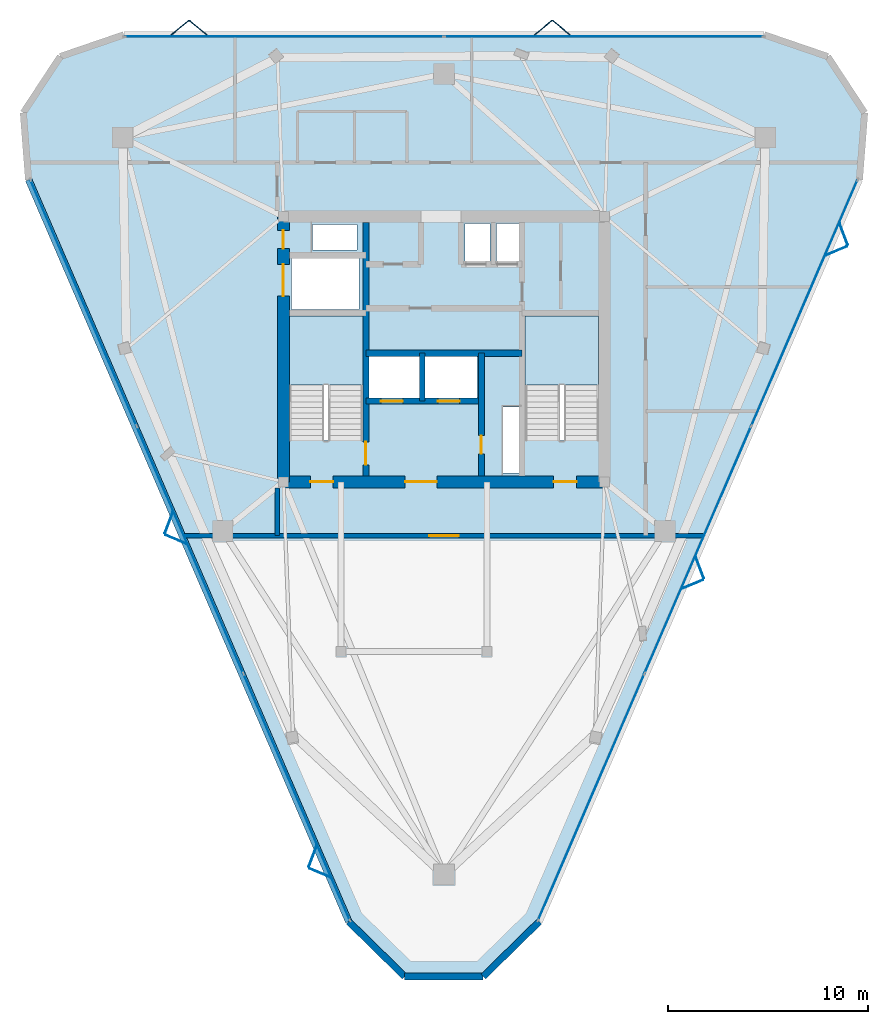
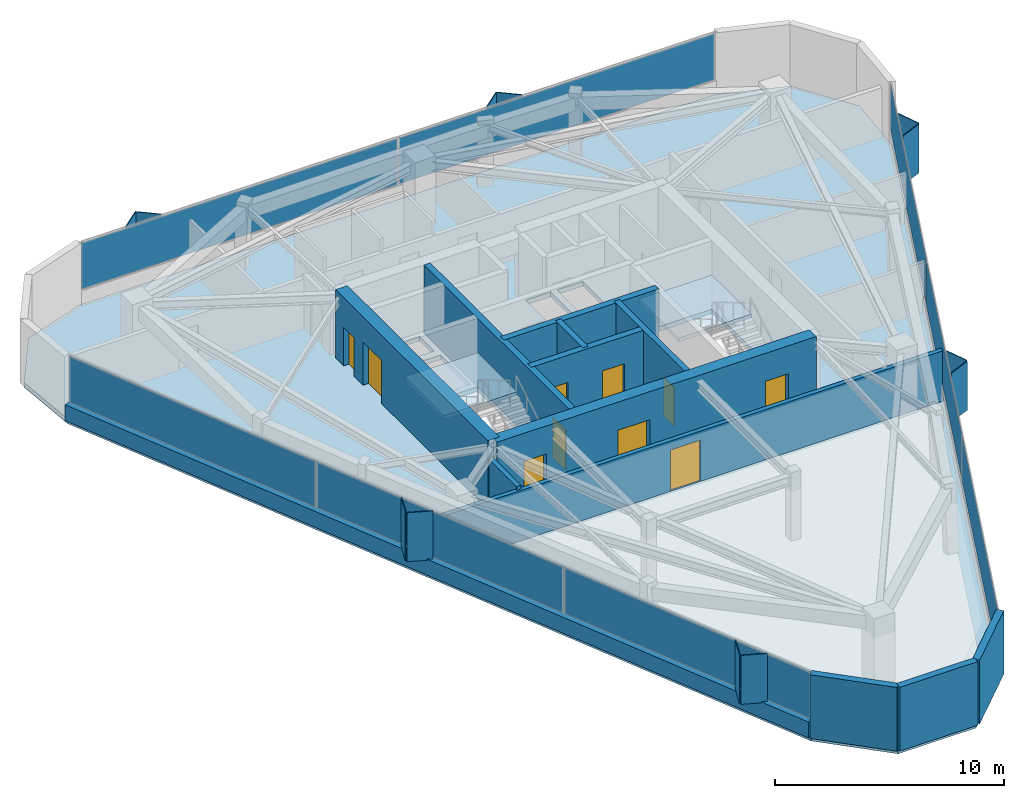
# One storey, part 6 of 9: 20 plates, 13 walls, 10 doors, 3 slabs, 10 openings, 5 elements without a shape of their own.
"""IFC4 building model written with IfcOpenShell, lengths in metres."""

from ifc_helpers import new_model, si_unit, direction, frame, frame_2d, origin, origin_2d, place, context, subcontext, project, spatial, polyline, rectangle, outline, extrude, material, layer, layer_set, type_object, element, fill, aggregate, save


model = new_model("IFC4")

# Units and contexts
model_context = context("Model", 3, precision=1e-05, world=origin(), true_north=direction((0.0, 1.0)))
body_context = subcontext(model_context, "Body", "Model", "MODEL_VIEW")
ifc_project = project(units=[si_unit("LENGTHUNIT", "METRE"), si_unit("AREAUNIT", "SQUARE_METRE"), si_unit("VOLUMEUNIT", "CUBIC_METRE"), si_unit("PLANEANGLEUNIT", "RADIAN"), si_unit("MASSUNIT", "GRAM", prefix="KILO")], contexts=[model_context])

# Site, building, storey
site_placement = place(None, origin())
site = spatial("IfcSite", under=ifc_project, at=site_placement, CompositionType="ELEMENT")
building_placement = place(site_placement, origin())
building = spatial("IfcBuilding", under=site, at=building_placement, Name="Talyreon Biosciences Tower", CompositionType="ELEMENT")
storey_placement = place(building_placement, frame((0.0, 0.0, 291.10009765625)))
storey = spatial("IfcBuildingStorey", under=building, at=storey_placement, Name="L77", CompositionType="ELEMENT", Elevation=291.10009765625)

# Curtain wall, plates
ifc_material_1 = material(Name="Thermally broken aluminium and low-E glazing", Category="aluminium")
ifc_layer_1 = layer(ifc_material_1, 0.175048828125)
ifc_layer_set_1 = layer_set([ifc_layer_1], Name="Thermally broken aluminium and low-E glazing")
curtain_wall_type = type_object("IfcCurtainWallType", Name="CurtainWall_Zone5CompLab", PredefinedType="NOTDEFINED", material=ifc_layer_set_1)
curtain_wall_1_placement = place(storey_placement, origin())
curtain_wall_1 = element("IfcCurtainWall", 1, at=curtain_wall_1_placement, inside=storey, type_object=curtain_wall_type, Name="L77 Unitised Curtain Wall FCW-L77-00", PredefinedType="NOTDEFINED")
ifc_material_2 = material(Name="Triple-silver low-E insulated glazing", Category="glass")
ifc_layer_2 = layer(ifc_material_2, 0.031982421875)
ifc_layer_set_2 = layer_set([ifc_layer_2], Name="Triple-silver low-E insulated glazing")
plate_type_1 = type_object("IfcPlateType", Name="CWGlazingPanel_32", PredefinedType="CURTAIN_PANEL", material=ifc_layer_set_2)
plate_1_placement = place(storey_placement, frame((58.61865234375, 45.55126953125, 0.875), z_axis=(0.0, 0.0, 1.0), x_axis=(-0.396146507437, 0.918187314575, 0.0)))
plate_1 = element("IfcPlate", 2, at=plate_1_placement, type_object=plate_type_1, Name="CW6 panel 1.1", PredefinedType="CURTAIN_PANEL", context=body_context, shape_type="SweptSolid", body=[
    extrude(rectangle(XDim=13.401123046875, YDim=0.031982421875, at=origin_2d()), origin(), (0.0, 0.0, 1.0), 2.4599609375),
])
plate_2_placement = place(storey_placement, frame((53.27783203125, 57.9306640625, 0.875), z_axis=(0.0, 0.0, 1.0), x_axis=(-0.396146507437, 0.918187314575, 0.0)))
plate_2 = element("IfcPlate", 3, at=plate_2_placement, type_object=plate_type_1, Name="CW6 panel 2.1", PredefinedType="CURTAIN_PANEL", context=body_context, shape_type="SweptSolid", body=[
    extrude(rectangle(XDim=13.43359375, YDim=0.031982421875, at=origin_2d()), origin(), (0.0, 0.0, 1.0), 2.4599609375),
])
plate_3_placement = place(storey_placement, frame((47.936767578125, 70.31005859375, 0.875), z_axis=(0.0, 0.0, 1.0), x_axis=(-0.396146507437, 0.918187314575, 0.0)))
plate_3 = element("IfcPlate", 4, at=plate_3_placement, type_object=plate_type_1, Name="CW6 panel 3.1", PredefinedType="CURTAIN_PANEL", context=body_context, shape_type="SweptSolid", body=[
    extrude(rectangle(XDim=13.401123046875, YDim=0.031982421875, at=origin_2d()), origin(), (0.0, 0.0, 1.0), 2.4599609375),
])
aggregate(curtain_wall_1, [plate_1, plate_2, plate_3])

curtain_wall_2_placement = place(storey_placement, origin())
curtain_wall_2 = element("IfcCurtainWall", 5, at=curtain_wall_2_placement, inside=storey, type_object=curtain_wall_type, Name="L77 Unitised Curtain Wall FCW-L77-04", PredefinedType="NOTDEFINED")
plate_4_placement = place(storey_placement, frame((57.9951171875, 83.67041015625, 0.875), z_axis=(0.0, 0.0, 1.0), x_axis=(1.0, 0.0, 0.0)))
plate_4 = element("IfcPlate", 6, at=plate_4_placement, type_object=plate_type_1, Name="CW6 panel 1.1", PredefinedType="CURTAIN_PANEL", context=body_context, shape_type="SweptSolid", body=[
    extrude(rectangle(XDim=15.94482421875, YDim=0.031982421875, at=origin_2d()), origin(), (0.0, 0.0, 1.0), 2.4599609375),
])
plate_5_placement = place(storey_placement, frame((74.0048828125, 83.67041015625, 0.875), z_axis=(0.0, 0.0, 1.0), x_axis=(1.0, 0.0, 0.0)))
plate_5 = element("IfcPlate", 7, at=plate_5_placement, type_object=plate_type_1, Name="CW6 panel 2.1", PredefinedType="CURTAIN_PANEL", context=body_context, shape_type="SweptSolid", body=[
    extrude(rectangle(XDim=15.94482421875, YDim=0.031982421875, at=origin_2d()), origin(), (0.0, 0.0, 1.0), 2.4599609375),
])
aggregate(curtain_wall_2, [plate_4, plate_5])

curtain_wall_3_placement = place(storey_placement, origin())
curtain_wall_3 = element("IfcCurtainWall", 8, at=curtain_wall_3_placement, inside=storey, type_object=curtain_wall_type, Name="L77 Unitised Curtain Wall FCW-L77-08", PredefinedType="NOTDEFINED")
plate_6_placement = place(storey_placement, frame((84.063232421875, 70.31005859375, 0.875), z_axis=(0.0, 0.0, 1.0), x_axis=(-0.396146507437, -0.918187314575, 0.0)))
plate_6 = element("IfcPlate", 9, at=plate_6_placement, type_object=plate_type_1, Name="CW6 panel 1.1", PredefinedType="CURTAIN_PANEL", context=body_context, shape_type="SweptSolid", body=[
    extrude(rectangle(XDim=13.401123046875, YDim=0.031982421875, at=origin_2d()), origin(), (0.0, 0.0, 1.0), 2.4599609375),
])
plate_7_placement = place(storey_placement, frame((78.72216796875, 57.9306640625, 0.875), z_axis=(0.0, 0.0, 1.0), x_axis=(-0.396146507437, -0.918187314575, 0.0)))
plate_7 = element("IfcPlate", 10, at=plate_7_placement, type_object=plate_type_1, Name="CW6 panel 2.1", PredefinedType="CURTAIN_PANEL", context=body_context, shape_type="SweptSolid", body=[
    extrude(rectangle(XDim=13.43359375, YDim=0.031982421875, at=origin_2d()), origin(), (0.0, 0.0, 1.0), 2.4599609375),
])
plate_8_placement = place(storey_placement, frame((73.38134765625, 45.55126953125, 0.875), z_axis=(0.0, 0.0, 1.0), x_axis=(-0.396146507437, -0.918187314575, 0.0)))
plate_8 = element("IfcPlate", 11, at=plate_8_placement, type_object=plate_type_1, Name="CW6 panel 3.1", PredefinedType="CURTAIN_PANEL", context=body_context, shape_type="SweptSolid", body=[
    extrude(rectangle(XDim=13.401123046875, YDim=0.031982421875, at=origin_2d()), origin(), (0.0, 0.0, 1.0), 2.4599609375),
])
aggregate(curtain_wall_3, [plate_6, plate_7, plate_8])

# Slab
ifc_material_3 = material(Name="Concrete C40/50", Category="concrete")
ifc_layer_3 = layer(ifc_material_3, 0.25)
ifc_layer_set_3 = layer_set([ifc_layer_3], Name="Concrete C40/50")
slab_type_1 = type_object("IfcSlabType", Name="DryLabFloorSlab_250", PredefinedType="FLOOR", material=ifc_layer_set_3)
slab_1_placement = place(storey_placement, frame((0.0, 0.0, -0.25)))
element("IfcSlab", 12, at=slab_1_placement, inside=storey, type_object=slab_type_1, Name="L77 Structural Floor Slab", PredefinedType="FLOOR", context=body_context, shape_type="SweptSolid", body=[
    extrude(outline(polyline([(61.225341796875, 39.3076171875), (45.18310546875, 76.490478515625), (44.922119140625, 79.84716796875), (46.772216796875, 82.660400390625), (49.957763671875, 83.750244140625), (82.042236328125, 83.750244140625), (85.227783203125, 82.660400390625), (87.077880859375, 79.84716796875), (86.81689453125, 76.490478515625), (70.774658203125, 39.3076171875), (67.966552734375, 36.5537109375), (64.033447265625, 36.5537109375), (61.225341796875, 39.3076171875)]), holes=[polyline([(69.820068359375, 65.10009765625), (69.820068359375, 61.800048828125), (68.9599609375, 61.800048828125), (68.9599609375, 65.10009765625), (69.820068359375, 65.10009765625)]), polyline([(61.929931640625, 69.64990234375), (61.929931640625, 63.407958984375), (58.25, 63.407958984375), (58.25, 69.64990234375), (61.929931640625, 69.64990234375)]), polyline([(73.75, 69.64990234375), (73.75, 63.407958984375), (70.070068359375, 63.407958984375), (70.070068359375, 69.64990234375), (73.75, 69.64990234375)]), polyline([(64.800048828125, 67.64990234375), (64.800048828125, 65.550048828125), (62.199951171875, 65.550048828125), (62.199951171875, 67.64990234375), (64.800048828125, 67.64990234375)]), polyline([(67.64990234375, 67.64990234375), (67.64990234375, 65.550048828125), (65.050048828125, 65.550048828125), (65.050048828125, 67.64990234375), (67.64990234375, 67.64990234375)]), polyline([(61.75, 72.550048828125), (61.75, 69.97998046875), (58.35009765625, 69.97998046875), (58.35009765625, 72.550048828125), (61.75, 72.550048828125)]), polyline([(68.300048828125, 74.300048828125), (68.300048828125, 72.35009765625), (67.050048828125, 72.35009765625), (67.050048828125, 74.300048828125), (68.300048828125, 74.300048828125)]), polyline([(69.919921875, 72.35009765625), (68.6201171875, 72.35009765625), (68.6201171875, 74.300048828125), (69.919921875, 74.300048828125), (69.919921875, 72.35009765625)]), polyline([(61.64990234375, 72.9599609375), (59.39990234375, 72.9599609375), (59.39990234375, 74.25), (61.64990234375, 74.25), (61.64990234375, 72.9599609375)])]), origin(), (0.0, 0.0, 1.0), 0.25),
])

# Plates
ifc_material_4 = material(Name="Ivory GFRC sunshade panel", Category="concrete")
ifc_layer_4 = layer(ifc_material_4, 0.044921875)
ifc_layer_set_4 = layer_set([ifc_layer_4], Name="Ivory GFRC sunshade panel")
plate_type_2 = type_object("IfcPlateType", Name="FoldedVSunshade_NorthFace_SUNSHADE", PredefinedType="USERDEFINED", material=ifc_layer_set_4)
for number, where, z_axis, x_axis, name in (
    (13, (52.777587890625, 84.1103515625, 0.7900390625), (0.0, 0.0, 1.0), (0.771624583388, 0.636078220278, 0.0), "L77 Folded V-Sunshade Panel 04.01L"),
    (14, (53.677734375, 84.1103515625, 0.7900390625), (0.0, 0.0, 1.0), (0.771624583388, -0.636078220278, 0.0), "L77 Folded V-Sunshade Panel 04.01R"),
    (15, (70.977783203125, 84.1103515625, 0.7900390625), (0.0, 0.0, 1.0), (0.771624583388, 0.636078220278, 0.0), "L77 Folded V-Sunshade Panel 04.02L"),
    (16, (71.877685546875, 84.1103515625, 0.7900390625), (0.0, 0.0, 1.0), (0.771624583388, -0.636078220278, 0.0), "L77 Folded V-Sunshade Panel 04.02R"),
):
    element("IfcPlate", number, at=place(storey_placement, frame(where, z_axis=z_axis, x_axis=x_axis)), inside=storey, type_object=plate_type_2, Name=name, ObjectType="SUNSHADE", PredefinedType="USERDEFINED", context=body_context, shape_type="SweptSolid", body=[
        extrude(rectangle(XDim=1.14990234375, YDim=0.044921875, at=origin_2d()), origin(), (0.0, 0.0, 1.0), 2.610107421875),
    ])
ifc_layer_5 = layer(ifc_material_4, 0.044921875)
ifc_layer_set_5 = layer_set([ifc_layer_5], Name="Ivory GFRC sunshade panel")
plate_type_3 = type_object("IfcPlateType", Name="FoldedVSunshade_SunFace_SUNSHADE", PredefinedType="USERDEFINED", material=ifc_layer_set_5)
for number, where, z_axis, x_axis, name in (
    (17, (59.777587890625, 41.75439453125, 0.7900390625), (0.0, 0.0, 1.0), (-0.922787104328, 0.385310212796, 0.0), "L77 Folded V-Sunshade Panel 00.01L"),
    (18, (59.421142578125, 42.58056640625, 0.7900390625), (0.0, 0.0, 1.0), (0.352870686721, 0.935672099858, 0.0), "L77 Folded V-Sunshade Panel 00.01R"),
    (19, (52.56787109375, 58.46533203125, 0.7900390625), (0.0, 0.0, 1.0), (-0.922787104328, 0.385310212796, 0.0), "L77 Folded V-Sunshade Panel 00.02L"),
    (20, (52.211181640625, 59.291748046875, 0.7900390625), (0.0, 0.0, 1.0), (0.352870686721, 0.935672099858, 0.0), "L77 Folded V-Sunshade Panel 00.02R"),
    (21, (86.0302734375, 73.758544921875, 0.7900390625), (0.0, 0.0, 1.0), (0.352870686721, -0.935672099858, 0.0), "L77 Folded V-Sunshade Panel 08.01L"),
    (22, (85.673828125, 72.93212890625, 0.7900390625), (0.0, 0.0, 1.0), (-0.922787104328, -0.385310212796, 0.0), "L77 Folded V-Sunshade Panel 08.01R"),
    (23, (78.8203125, 57.047607421875, 0.7900390625), (0.0, 0.0, 1.0), (0.352870686721, -0.935672099858, 0.0), "L77 Folded V-Sunshade Panel 08.02L"),
    (24, (78.4638671875, 56.22119140625, 0.7900390625), (0.0, 0.0, 1.0), (-0.922787104328, -0.385310212796, 0.0), "L77 Folded V-Sunshade Panel 08.02R"),
):
    element("IfcPlate", number, at=place(storey_placement, frame(where, z_axis=z_axis, x_axis=x_axis)), inside=storey, type_object=plate_type_3, Name=name, ObjectType="SUNSHADE", PredefinedType="USERDEFINED", context=body_context, shape_type="SweptSolid", body=[
        extrude(rectangle(XDim=1.14990234375, YDim=0.044921875, at=origin_2d()), origin(), (0.0, 0.0, 1.0), 2.610107421875),
    ])

# Stair, slab
stair_type = type_object("IfcStairType", Name="DoglegEscapeStair_3650", PredefinedType="HALF_TURN_STAIR", material=ifc_material_3)
stair_1_placement = place(storey_placement, origin())
stair_1 = element("IfcStair", 25, at=stair_1_placement, inside=storey, type_object=stair_type, Name="L77 Core Escape Stair 1", PredefinedType="HALF_TURN_STAIR")
ifc_layer_6 = layer(ifc_material_3, 0.199951171875)
ifc_layer_set_6 = layer_set([ifc_layer_6], Name="Concrete C40/50")
slab_type_2 = type_object("IfcSlabType", Name="StairLandingSlab_200", PredefinedType="LANDING", material=ifc_layer_set_6)
slab_2_placement = place(storey_placement, frame((0.0, 0.0, 1.625)))
slab_2 = element("IfcSlab", 26, at=slab_2_placement, type_object=slab_type_2, Name="ST-1 landing 1", PredefinedType="LANDING", context=body_context, shape_type="SweptSolid", body=[
    extrude(outline(polyline([(61.929931640625, 66.199951171875), (61.929931640625, 69.64990234375), (58.25, 69.64990234375), (58.25, 66.199951171875), (61.929931640625, 66.199951171875)])), origin(), (0.0, 0.0, 1.0), 0.199951171875),
])
aggregate(stair_1, [slab_2])

stair_2_placement = place(storey_placement, origin())
stair_2 = element("IfcStair", 27, at=stair_2_placement, inside=storey, type_object=stair_type, Name="L77 Core Escape Stair 2", PredefinedType="HALF_TURN_STAIR")
slab_3_placement = place(storey_placement, frame((0.0, 0.0, 1.625)))
slab_3 = element("IfcSlab", 28, at=slab_3_placement, type_object=slab_type_2, Name="ST-2 landing 1", PredefinedType="LANDING", context=body_context, shape_type="SweptSolid", body=[
    extrude(outline(polyline([(73.75, 66.199951171875), (73.75, 69.64990234375), (70.070068359375, 69.64990234375), (70.070068359375, 66.199951171875), (73.75, 66.199951171875)])), origin(), (0.0, 0.0, 1.0), 0.199951171875),
])
aggregate(stair_2, [slab_3])

# Wall
ifc_material_5 = material(Name="Concrete C50/60", Category="concrete")
ifc_layer_7 = layer(ifc_material_5, 0.280029296875)
ifc_layer_set_7 = layer_set([ifc_layer_7], Name="Concrete C50/60")
wall_type_1 = type_object("IfcWallType", Name="CoreShearWall_280", PredefinedType="SHEAR", material=ifc_layer_set_7)
wall_1_placement = place(storey_placement, frame((64.919921875, 65.39990234375, 0.0), z_axis=(0.0, 0.0, 1.0), x_axis=(0.0, 1.0, 0.0)))
element("IfcWall", 29, at=wall_1_placement, inside=storey, type_object=wall_type_1, Name="L77 Core Shaft Wall SWSHD1", PredefinedType="SHEAR", context=body_context, shape_type="SweptSolid", body=[
    extrude(rectangle(XDim=2.400146484375, YDim=0.280029296875, at=frame_2d((1.2001953125, 0.0))), origin(), (0.0, 0.0, 1.0), 3.64990234375),
])

# Wall, opening, door
wall_2_placement = place(storey_placement, frame((67.8798828125, 61.64990234375, 0.0), z_axis=(0.0, 0.0, 1.0), x_axis=(0.0, 1.0, 0.0)))
wall_2 = element("IfcWall", 30, at=wall_2_placement, inside=storey, type_object=wall_type_1, Name="L77 Core Shaft Wall SWFFE", PredefinedType="SHEAR", context=body_context, shape_type="SweptSolid", body=[
    extrude(rectangle(XDim=6.150146484375, YDim=0.280029296875, at=frame_2d((3.0751953125, 0.0))), origin(), (0.0, 0.0, 1.0), 3.64990234375),
])
opening_1_placement = place(wall_2_placement, frame((1.10009765625, 0.0, 0.0)))
opening_1 = element("IfcOpeningElement", 31, at=opening_1_placement, cuts=wall_2, Name="Opening DR-L77-RSE", PredefinedType="OPENING", context=body_context, shape_type="SweptSolid", body=[
    extrude(rectangle(XDim=0.919921875, YDim=2.050048828125, at=frame_2d((0.4599609375, 1.02490234375))), frame((0.0, 0.14990234375, 0.0), z_axis=(0.0, -1.0, 0.0), x_axis=(1.0, 0.0, 0.0)), (0.0, 0.0, 1.0), 0.300048828125),
])
ifc_material_6 = material(Name="Painted steel fire-rated riser door", Category="steel")
door_type_1 = type_object("IfcDoorType", Name="RiserPlantAccessDoor_920x2050", OperationType="NOTDEFINED", PredefinedType="DOOR", material=ifc_material_6)
door_1_placement = place(opening_1_placement, origin())
door_1 = element("IfcDoor", 32, at=door_1_placement, inside=storey, type_object=door_type_1, Name="L77 Core Door DR-L77-RSE", OperationType="SINGLE_SWING_RIGHT", OverallHeight=2.050048828125, OverallWidth=0.919921875, PredefinedType="DOOR", context=body_context, shape_type="SweptSolid", body=[
    extrude(rectangle(XDim=0.919921875, YDim=2.050048828125, at=frame_2d((0.4599609375, 1.02490234375))), frame((0.0, 0.02490234375, 0.0), z_axis=(0.0, -1.0, 0.0), x_axis=(1.0, 0.0, 0.0)), (0.0, 0.0, 1.0), 0.050048828125),
])
fill(opening_1, door_1)

ifc_layer_8 = layer(ifc_material_5, 0.320068359375)
ifc_layer_set_8 = layer_set([ifc_layer_8], Name="Concrete C50/60")
wall_type_2 = type_object("IfcWallType", Name="CoreShearWall_320", PredefinedType="SHEAR", material=ifc_layer_set_8)
wall_3_placement = place(storey_placement, frame((62.090087890625, 61.64990234375, 0.0), z_axis=(0.0, 0.0, 1.0), x_axis=(0.0, 1.0, 0.0)))
wall_3 = element("IfcWall", 33, at=wall_3_placement, inside=storey, type_object=wall_type_2, Name="L77 Core Shaft Wall SW1E", PredefinedType="SHEAR", context=body_context, shape_type="SweptSolid", body=[
    extrude(rectangle(XDim=12.7001953125, YDim=0.320068359375, at=frame_2d((6.35009765625, 0.0))), origin(), (0.0, 0.0, 1.0), 3.64990234375),
])
opening_2_placement = place(wall_3_placement, frame((0.550048828125, 0.0, 0.0)))
opening_2 = element("IfcOpeningElement", 34, at=opening_2_placement, cuts=wall_3, Name="Opening DR-L77-FF-ST1", PredefinedType="OPENING", context=body_context, shape_type="SweptSolid", body=[
    extrude(rectangle(XDim=1.14990234375, YDim=2.14990234375, at=frame_2d((0.574951171875, 1.074951171875))), frame((0.0, 0.169921875, 0.0), z_axis=(0.0, -1.0, 0.0), x_axis=(1.0, 0.0, 0.0)), (0.0, 0.0, 1.0), 0.340087890625),
])
ifc_material_7 = material(Name="Painted steel fire door", Category="steel")
door_type_2 = type_object("IfcDoorType", Name="StairShaftFireDoor_1150x2150", OperationType="NOTDEFINED", PredefinedType="DOOR", material=ifc_material_7)
door_2_placement = place(opening_2_placement, origin())
door_2 = element("IfcDoor", 35, at=door_2_placement, inside=storey, type_object=door_type_2, Name="L77 Core Door DR-L77-FF-ST1", OperationType="SINGLE_SWING_LEFT", OverallHeight=2.14990234375, OverallWidth=1.14990234375, PredefinedType="DOOR", context=body_context, shape_type="SweptSolid", body=[
    extrude(rectangle(XDim=1.14990234375, YDim=2.14990234375, at=frame_2d((0.574951171875, 1.074951171875))), frame((0.0, 0.02490234375, 0.0), z_axis=(0.0, -1.0, 0.0), x_axis=(1.0, 0.0, 0.0)), (0.0, 0.0, 1.0), 0.050048828125),
])
fill(opening_2, door_2)

# Wall
wall_4_placement = place(storey_placement, frame((62.090087890625, 67.800048828125, 0.0), z_axis=(0.0, 0.0, 1.0), x_axis=(1.0, 0.0, 0.0)))
element("IfcWall", 36, at=wall_4_placement, inside=storey, type_object=wall_type_2, Name="L77 Core Shaft Wall SWSHM", PredefinedType="SHEAR", context=body_context, shape_type="SweptSolid", body=[
    extrude(rectangle(XDim=7.81982421875, YDim=0.320068359375, at=frame_2d((3.909912109375, 0.0))), origin(), (0.0, 0.0, 1.0), 3.64990234375),
])

# Wall, openings, doors
wall_5_placement = place(storey_placement, frame((62.090087890625, 65.39990234375, 0.0), z_axis=(0.0, 0.0, 1.0), x_axis=(1.0, 0.0, 0.0)))
wall_5 = element("IfcWall", 37, at=wall_5_placement, inside=storey, type_object=wall_type_2, Name="L77 Core Shaft Wall SWFFN", PredefinedType="SHEAR", context=body_context, shape_type="SweptSolid", body=[
    extrude(rectangle(XDim=5.789794921875, YDim=0.320068359375, at=frame_2d((2.89501953125, 0.0))), origin(), (0.0, 0.0, 1.0), 3.64990234375),
])
opening_3_placement = place(wall_5_placement, frame((0.75, 0.0, 0.0)))
opening_3 = element("IfcOpeningElement", 38, at=opening_3_placement, cuts=wall_5, Name="Opening LD-L77-FL1", PredefinedType="OPENING", context=body_context, shape_type="SweptSolid", body=[
    extrude(rectangle(XDim=1.10009765625, YDim=2.199951171875, at=frame_2d((0.550048828125, 1.10009765625))), frame((0.0, 0.169921875, 0.0), z_axis=(0.0, -1.0, 0.0), x_axis=(1.0, 0.0, 0.0)), (0.0, 0.0, 1.0), 0.340087890625),
])
opening_4_placement = place(wall_5_placement, frame((3.60009765625, 0.0, 0.0)))
opening_4 = element("IfcOpeningElement", 39, at=opening_4_placement, cuts=wall_5, Name="Opening LD-L77-FL2", PredefinedType="OPENING", context=body_context, shape_type="SweptSolid", body=[
    extrude(rectangle(XDim=1.10009765625, YDim=2.199951171875, at=frame_2d((0.550048828125, 1.10009765625))), frame((0.0, 0.169921875, 0.0), z_axis=(0.0, -1.0, 0.0), x_axis=(1.0, 0.0, 0.0)), (0.0, 0.0, 1.0), 0.340087890625),
])
ifc_material_8 = material(Name="Brushed stainless-steel lift landing door", Category="steel")
door_type_3 = type_object("IfcDoorType", Name="LiftSlidingLandingDoor_1100x2200", OperationType="SLIDING_TO_LEFT", PredefinedType="DOOR", material=ifc_material_8)
door_3_placement = place(opening_3_placement, origin())
door_3 = element("IfcDoor", 40, at=door_3_placement, inside=storey, type_object=door_type_3, Name="L77 Core Door LD-L77-FL1", OperationType="SLIDING_TO_LEFT", OverallHeight=2.199951171875, OverallWidth=1.10009765625, PredefinedType="DOOR", context=body_context, shape_type="SweptSolid", body=[
    extrude(rectangle(XDim=1.10009765625, YDim=2.199951171875, at=frame_2d((0.550048828125, 1.10009765625))), frame((0.0, 0.02490234375, 0.0), z_axis=(0.0, -1.0, 0.0), x_axis=(1.0, 0.0, 0.0)), (0.0, 0.0, 1.0), 0.050048828125),
])
fill(opening_3, door_3)
door_4_placement = place(opening_4_placement, origin())
door_4 = element("IfcDoor", 41, at=door_4_placement, inside=storey, type_object=door_type_3, Name="L77 Core Door LD-L77-FL2", OperationType="SLIDING_TO_LEFT", OverallHeight=2.199951171875, OverallWidth=1.10009765625, PredefinedType="DOOR", context=body_context, shape_type="SweptSolid", body=[
    extrude(rectangle(XDim=1.10009765625, YDim=2.199951171875, at=frame_2d((0.550048828125, 1.10009765625))), frame((0.0, 0.02490234375, 0.0), z_axis=(0.0, -1.0, 0.0), x_axis=(1.0, 0.0, 0.0)), (0.0, 0.0, 1.0), 0.050048828125),
])
fill(opening_4, door_4)

ifc_layer_9 = layer(ifc_material_5, 0.60009765625)
ifc_layer_set_9 = layer_set([ifc_layer_9], Name="Concrete C50/60")
wall_type_3 = type_object("IfcWallType", Name="CoreShearWall_600", PredefinedType="SHEAR", material=ifc_layer_set_9)
wall_6_placement = place(storey_placement, frame((57.949951171875, 61.35009765625, 0.0), z_axis=(0.0, 0.0, 1.0), x_axis=(1.0, 0.0, 0.0)))
wall_6 = element("IfcWall", 42, at=wall_6_placement, inside=storey, type_object=wall_type_3, Name="L77 Core Shear Wall S", PredefinedType="SHEAR", context=body_context, shape_type="SweptSolid", body=[
    extrude(rectangle(XDim=16.10009765625, YDim=0.60009765625, at=frame_2d((8.050048828125, 0.0))), origin(), (0.0, 0.0, 1.0), 3.64990234375),
])
opening_5_placement = place(wall_6_placement, frame((1.35009765625, 0.0, 0.0)))
opening_5 = element("IfcOpeningElement", 43, at=opening_5_placement, cuts=wall_6, Name="Opening DR-L77-ST1", PredefinedType="OPENING", context=body_context, shape_type="SweptSolid", body=[
    extrude(rectangle(XDim=1.14990234375, YDim=2.14990234375, at=frame_2d((0.574951171875, 1.074951171875))), frame((0.0, 0.31005859375, 0.0), z_axis=(0.0, -1.0, 0.0), x_axis=(1.0, 0.0, 0.0)), (0.0, 0.0, 1.0), 0.6201171875),
])
opening_6_placement = place(wall_6_placement, frame((6.10009765625, 0.0, 0.0)))
opening_6 = element("IfcOpeningElement", 44, at=opening_6_placement, cuts=wall_6, Name="Opening DR-L77-FFL", PredefinedType="OPENING", context=body_context, shape_type="SweptSolid", body=[
    extrude(rectangle(XDim=1.60009765625, YDim=2.14990234375, at=frame_2d((0.800048828125, 1.074951171875))), frame((0.0, 0.31005859375, 0.0), z_axis=(0.0, -1.0, 0.0), x_axis=(1.0, 0.0, 0.0)), (0.0, 0.0, 1.0), 0.6201171875),
])
opening_7_placement = place(wall_6_placement, frame((13.550048828125, 0.0, 0.0)))
opening_7 = element("IfcOpeningElement", 45, at=opening_7_placement, cuts=wall_6, Name="Opening DR-L77-ST2", PredefinedType="OPENING", context=body_context, shape_type="SweptSolid", body=[
    extrude(rectangle(XDim=1.14990234375, YDim=2.14990234375, at=frame_2d((0.574951171875, 1.074951171875))), frame((0.0, 0.31005859375, 0.0), z_axis=(0.0, -1.0, 0.0), x_axis=(1.0, 0.0, 0.0)), (0.0, 0.0, 1.0), 0.6201171875),
])
ifc_material_9 = material(Name="Painted steel smoke-seal fire door", Category="steel")
door_type_4 = type_object("IfcDoorType", Name="FirefightingLobbyDoubleDoor_1600x2150", OperationType="DOUBLE_DOOR_SINGLE_SWING", PredefinedType="DOOR", material=ifc_material_9)
door_5_placement = place(opening_6_placement, origin())
door_5 = element("IfcDoor", 46, at=door_5_placement, inside=storey, type_object=door_type_4, Name="L77 Core Door DR-L77-FFL", OperationType="DOUBLE_DOOR_SINGLE_SWING", OverallHeight=2.14990234375, OverallWidth=1.60009765625, PredefinedType="DOOR", context=body_context, shape_type="SweptSolid", body=[
    extrude(rectangle(XDim=1.60009765625, YDim=2.14990234375, at=frame_2d((0.800048828125, 1.074951171875))), frame((0.0, 0.02490234375, 0.0), z_axis=(0.0, -1.0, 0.0), x_axis=(1.0, 0.0, 0.0)), (0.0, 0.0, 1.0), 0.050048828125),
])
fill(opening_6, door_5)
door_6_placement = place(opening_5_placement, origin())
door_6 = element("IfcDoor", 47, at=door_6_placement, inside=storey, type_object=door_type_2, Name="L77 Core Door DR-L77-ST1", OperationType="SINGLE_SWING_LEFT", OverallHeight=2.14990234375, OverallWidth=1.14990234375, PredefinedType="DOOR", context=body_context, shape_type="SweptSolid", body=[
    extrude(rectangle(XDim=1.14990234375, YDim=2.14990234375, at=frame_2d((0.574951171875, 1.074951171875))), frame((0.0, 0.02490234375, 0.0), z_axis=(0.0, -1.0, 0.0), x_axis=(1.0, 0.0, 0.0)), (0.0, 0.0, 1.0), 0.050048828125),
])
fill(opening_5, door_6)
door_7_placement = place(opening_7_placement, origin())
door_7 = element("IfcDoor", 48, at=door_7_placement, inside=storey, type_object=door_type_2, Name="L77 Core Door DR-L77-ST2", OperationType="SINGLE_SWING_RIGHT", OverallHeight=2.14990234375, OverallWidth=1.14990234375, PredefinedType="DOOR", context=body_context, shape_type="SweptSolid", body=[
    extrude(rectangle(XDim=1.14990234375, YDim=2.14990234375, at=frame_2d((0.574951171875, 1.074951171875))), frame((0.0, 0.02490234375, 0.0), z_axis=(0.0, -1.0, 0.0), x_axis=(1.0, 0.0, 0.0)), (0.0, 0.0, 1.0), 0.050048828125),
])
fill(opening_7, door_7)

wall_7_placement = place(storey_placement, frame((57.949951171875, 74.64990234375, 0.0), z_axis=(0.0, 0.0, 1.0), x_axis=(0.0, -1.0, 0.0)))
wall_7 = element("IfcWall", 49, at=wall_7_placement, inside=storey, type_object=wall_type_3, Name="L77 Core Shear Wall W", PredefinedType="SHEAR", context=body_context, shape_type="SweptSolid", body=[
    extrude(rectangle(XDim=13.2998046875, YDim=0.60009765625, at=frame_2d((6.64990234375, 0.0))), origin(), (0.0, 0.0, 1.0), 3.64990234375),
])
opening_8_placement = place(wall_7_placement, frame((0.699951171875, 0.0, 0.0)))
opening_8 = element("IfcOpeningElement", 50, at=opening_8_placement, cuts=wall_7, Name="Opening DR-L77-RSW", PredefinedType="OPENING", context=body_context, shape_type="SweptSolid", body=[
    extrude(rectangle(XDim=0.919921875, YDim=2.050048828125, at=frame_2d((0.4599609375, 1.02490234375))), frame((0.0, 0.31005859375, 0.0), z_axis=(0.0, -1.0, 0.0), x_axis=(1.0, 0.0, 0.0)), (0.0, 0.0, 1.0), 0.6201171875),
])
opening_9_placement = place(wall_7_placement, frame((2.39990234375, 0.0, 0.0)))
opening_9 = element("IfcOpeningElement", 51, at=opening_9_placement, cuts=wall_7, Name="Opening LD-L77-GL1", PredefinedType="OPENING", context=body_context, shape_type="SweptSolid", body=[
    extrude(rectangle(XDim=1.60009765625, YDim=2.300048828125, at=frame_2d((0.800048828125, 1.14990234375))), frame((0.0, 0.31005859375, 0.0), z_axis=(0.0, -1.0, 0.0), x_axis=(1.0, 0.0, 0.0)), (0.0, 0.0, 1.0), 0.6201171875),
])
ifc_material_10 = material(Name="Heavy-duty stainless-steel goods lift door", Category="steel")
door_type_5 = type_object("IfcDoorType", Name="GoodsLiftSlidingDoor_1600x2300", OperationType="DOUBLE_DOOR_SLIDING", PredefinedType="DOOR", material=ifc_material_10)
door_8_placement = place(opening_9_placement, origin())
door_8 = element("IfcDoor", 52, at=door_8_placement, inside=storey, type_object=door_type_5, Name="L77 Core Door LD-L77-GL1", OperationType="DOUBLE_DOOR_SLIDING", OverallHeight=2.300048828125, OverallWidth=1.60009765625, PredefinedType="DOOR", context=body_context, shape_type="SweptSolid", body=[
    extrude(rectangle(XDim=1.60009765625, YDim=2.300048828125, at=frame_2d((0.800048828125, 1.14990234375))), frame((0.0, 0.02490234375, 0.0), z_axis=(0.0, -1.0, 0.0), x_axis=(1.0, 0.0, 0.0)), (0.0, 0.0, 1.0), 0.050048828125),
])
fill(opening_9, door_8)
door_9_placement = place(opening_8_placement, origin())
door_9 = element("IfcDoor", 53, at=door_9_placement, inside=storey, type_object=door_type_1, Name="L77 Core Door DR-L77-RSW", OperationType="SINGLE_SWING_LEFT", OverallHeight=2.050048828125, OverallWidth=0.919921875, PredefinedType="DOOR", context=body_context, shape_type="SweptSolid", body=[
    extrude(rectangle(XDim=0.919921875, YDim=2.050048828125, at=frame_2d((0.4599609375, 1.02490234375))), frame((0.0, 0.02490234375, 0.0), z_axis=(0.0, -1.0, 0.0), x_axis=(1.0, 0.0, 0.0)), (0.0, 0.0, 1.0), 0.050048828125),
])
fill(opening_8, door_9)

# Wall, opening, door
ifc_material_11 = material(Name="Gypsum fireboard acoustic stud", Category="gypsum")
ifc_layer_10 = layer(ifc_material_11, 0.219970703125)
ifc_layer_set_10 = layer_set([ifc_layer_10], Name="Gypsum fireboard acoustic stud")
wall_type_4 = type_object("IfcWallType", Name="CorridorRatedPartition_220", PredefinedType="PARTITIONING", material=ifc_layer_set_10)
wall_8_placement = place(storey_placement, frame((52.972900390625, 58.64990234375, 0.0), z_axis=(0.0, 0.0, 1.0), x_axis=(1.0, 0.0, 0.0)))
wall_8 = element("IfcWall", 54, at=wall_8_placement, inside=storey, type_object=wall_type_4, Name="L77 Interior Wall IW-L77-COR-S", PredefinedType="PARTITIONING", context=body_context, shape_type="SweptSolid", body=[
    extrude(rectangle(XDim=26.05419921875, YDim=0.219970703125, at=frame_2d((13.027099609375, 0.0))), origin(), (0.0, 0.0, 1.0), 2.679931640625),
])
opening_10_placement = place(wall_8_placement, frame((12.277099609375, 0.0, 0.0)))
opening_10 = element("IfcOpeningElement", 55, at=opening_10_placement, cuts=wall_8, Name="Opening DR-L77-S1A", PredefinedType="OPENING", context=body_context, shape_type="SweptSolid", body=[
    extrude(rectangle(XDim=1.5, YDim=2.199951171875, at=frame_2d((0.75, 1.10009765625))), frame((0.0, 0.119873046875, 0.0), z_axis=(0.0, -1.0, 0.0), x_axis=(1.0, 0.0, 0.0)), (0.0, 0.0, 1.0), 0.239990234375),
])
ifc_material_12 = material(Name="Vision-panel steel laboratory fire door", Category="steel")
door_type_6 = type_object("IfcDoorType", Name="WetLabDoubleLeafDoor_1500x2200", OperationType="DOUBLE_DOOR_SINGLE_SWING", PredefinedType="DOOR", material=ifc_material_12)
door_10_placement = place(opening_10_placement, origin())
door_10 = element("IfcDoor", 56, at=door_10_placement, inside=storey, type_object=door_type_6, Name="L77 Interior Door DR-L77-S1A", OperationType="DOUBLE_DOOR_SINGLE_SWING", OverallHeight=2.199951171875, OverallWidth=1.5, PredefinedType="DOOR", context=body_context, shape_type="SweptSolid", body=[
    extrude(rectangle(XDim=1.5, YDim=2.199951171875, at=frame_2d((0.75, 1.10009765625))), frame((0.0, 0.02490234375, 0.0), z_axis=(0.0, -1.0, 0.0), x_axis=(1.0, 0.0, 0.0)), (0.0, 0.0, 1.0), 0.050048828125),
])
fill(opening_10, door_10)

# Walls
wall_9_placement = place(storey_placement, frame((57.64990234375, 58.64990234375, 0.0), z_axis=(0.0, 0.0, 1.0), x_axis=(0.0, 1.0, 0.0)))
element("IfcWall", 57, at=wall_9_placement, inside=storey, type_object=wall_type_4, Name="L77 Interior Wall IW-L77-WCAP-S", PredefinedType="PARTITIONING", context=body_context, shape_type="SweptSolid", body=[
    extrude(rectangle(XDim=2.400146484375, YDim=0.219970703125, at=frame_2d((1.2001953125, 0.0))), origin(), (0.0, 0.0, 1.0), 2.8798828125),
])
ifc_material_13 = material(Name="Precast concrete C45/55", Category="concrete")
ifc_layer_11 = layer(ifc_material_13, 0.340087890625)
ifc_layer_set_11 = layer_set([ifc_layer_11], Name="Precast concrete C45/55")
wall_type_5 = type_object("IfcWallType", Name="PrecastConcreteSpandrelWall_340", PredefinedType="STANDARD", material=ifc_layer_set_11)
wall_10_placement = place(storey_placement, frame((61.225341796875, 39.3076171875, 0.0), z_axis=(0.0, 0.0, 1.0), x_axis=(-0.396144631021, 0.918188124141, 0.0)))
element("IfcWall", 58, at=wall_10_placement, inside=storey, type_object=wall_type_5, Name="L77 Expressed Concrete Sill Wall 00", PredefinedType="STANDARD", context=body_context, shape_type="SweptSolid", body=[
    extrude(rectangle(XDim=40.495849609375, YDim=0.340087890625, at=frame_2d((20.248046875, 0.0))), origin(), (0.0, 0.0, 1.0), 0.849853515625),
])
for number, where, z_axis, x_axis, name in (
    (59, (70.774658203125, 39.3076171875, 0.0), (0.0, 0.0, 1.0), (-0.713963311344, -0.700183111803, 0.0), "L77 Rounded-Corner Concrete Pier 09"),
    (60, (67.966552734375, 36.5537109375, 0.0), (0.0, 0.0, 1.0), (-1.0, 0.0, 0.0), "L77 Rounded-Corner Concrete Pier 10"),
    (61, (64.033447265625, 36.5537109375, 0.0), (0.0, 0.0, 1.0), (-0.713963311344, 0.700183111803, 0.0), "L77 Rounded-Corner Concrete Pier 11"),
):
    element("IfcWall", number, at=place(storey_placement, frame(where, z_axis=z_axis, x_axis=x_axis)), inside=storey, type_object=wall_type_5, Name=name, PredefinedType="STANDARD", context=body_context, shape_type="SweptSolid", body=[
        extrude(rectangle(XDim=3.93310546875, YDim=0.340087890625, at=frame_2d((1.966552734375, 0.0))), origin(), (0.0, 0.0, 1.0), 3.39990234375),
    ])

save(model, "model.ifc")
